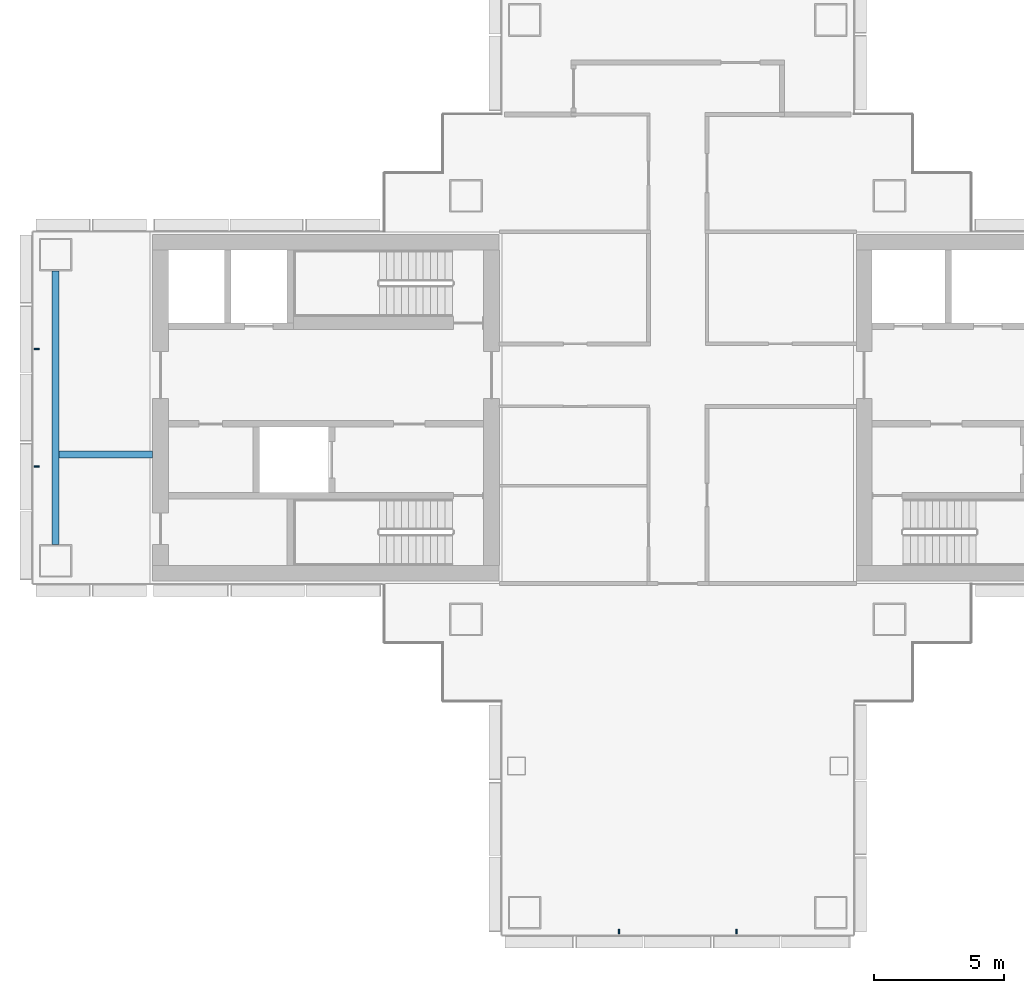
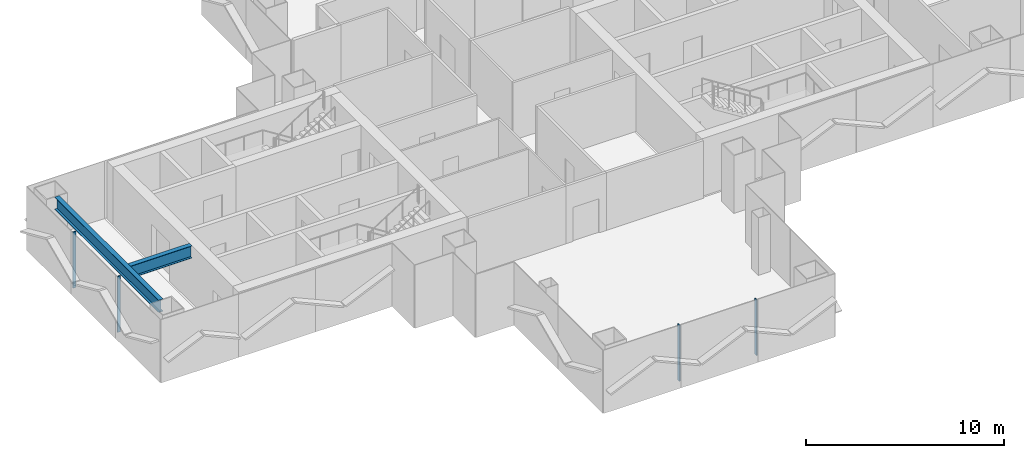
# One storey, part 3 of 19: 4 members, 2 beams, 2 elements without a shape of their own.
"""IFC4 building model written with IfcOpenShell, lengths in metres."""

from ifc_helpers import new_model, si_unit, direction, frame, origin, origin_2d, place, context, subcontext, project, spatial, rectangle, i_section, extrude, material, layer, layer_set, material_profile, profile_set, type_object, element, aggregate, save


model = new_model("IFC4")

# Units and contexts
model_context = context("Model", 3, precision=1e-05, world=origin(), true_north=direction((0.0, 1.0)))
body_context = subcontext(model_context, "Body", "Model", "MODEL_VIEW")
ifc_project = project(units=[si_unit("LENGTHUNIT", "METRE"), si_unit("AREAUNIT", "SQUARE_METRE"), si_unit("VOLUMEUNIT", "CUBIC_METRE"), si_unit("PLANEANGLEUNIT", "RADIAN"), si_unit("MASSUNIT", "GRAM", prefix="KILO")], contexts=[model_context])

# Site, building, storey
site_placement = place(None, origin())
site = spatial("IfcSite", under=ifc_project, at=site_placement, CompositionType="ELEMENT")
building_placement = place(site_placement, origin())
building = spatial("IfcBuilding", under=site, at=building_placement, Name="Shamsa Quay Exchange Towers", CompositionType="ELEMENT")
storey_placement = place(building_placement, frame((0.0, 0.0, 97.5)))
storey = spatial("IfcBuildingStorey", under=building, at=storey_placement, Name="L22", CompositionType="ELEMENT", Elevation=97.5)

# Curtain wall, members
ifc_material_1 = material(Name="Aluminium EN AW-6063 T6, black anodised", Category="aluminium")
ifc_layer = layer(ifc_material_1, 0.280029296875)
ifc_layer_set = layer_set([ifc_layer], Name="CW-1 UNITISED VISION GLASS")
curtain_wall_type = type_object("IfcCurtainWallType", Name="CW-1 UNITISED VISION GLASS", PredefinedType="NOTDEFINED", material=ifc_layer_set)
curtain_wall_1_placement = place(storey_placement, origin())
curtain_wall_1 = element("IfcCurtainWall", 1, at=curtain_wall_1_placement, inside=storey, type_object=curtain_wall_type, Name="CW1 T1-END-V- L22", PredefinedType="NOTDEFINED")
ifc_material_profile_1 = material_profile(ifc_material_1, rectangle(XDim=0.179931640625, YDim=0.06005859375, at=origin_2d()), Name="MU60x180")
ifc_profile_set_1 = profile_set([ifc_material_profile_1], Name="Aluminium EN AW-6063 T6, black anodised")
member_type = type_object("IfcMemberType", Name="CW1 MULLION 60x180", PredefinedType="MULLION", material=ifc_profile_set_1)
member_1_placement = place(storey_placement, frame((-36.0, -20.10009765625, 0.0), z_axis=(0.0, 0.0, 1.0), x_axis=(0.0, 1.0, 0.0)))
member_1 = element("IfcMember", 2, at=member_1_placement, type_object=member_type, Name="CW1 mullion", PredefinedType="MULLION", context=body_context, shape_type="SweptSolid", body=[
    extrude(rectangle(XDim=0.179931640625, YDim=0.06005859375, at=origin_2d()), origin(), (0.0, 0.0, 1.0), 3.449951171875),
])
member_2_placement = place(storey_placement, frame((-31.5, -20.10009765625, 0.0), z_axis=(0.0, 0.0, 1.0), x_axis=(0.0, 1.0, 0.0)))
member_2 = element("IfcMember", 3, at=member_2_placement, type_object=member_type, Name="CW1 mullion", PredefinedType="MULLION", context=body_context, shape_type="SweptSolid", body=[
    extrude(rectangle(XDim=0.179931640625, YDim=0.06005859375, at=origin_2d()), origin(), (0.0, 0.0, 1.0), 3.449951171875),
])
aggregate(curtain_wall_1, [member_1, member_2])

curtain_wall_2_placement = place(storey_placement, origin())
curtain_wall_2 = element("IfcCurtainWall", 4, at=curtain_wall_2_placement, inside=storey, type_object=curtain_wall_type, Name="CW1 T1-END-U- L22", PredefinedType="NOTDEFINED")
member_3_placement = place(storey_placement, frame((-58.35009765625, 2.25, 0.0)))
member_3 = element("IfcMember", 5, at=member_3_placement, type_object=member_type, Name="CW1 mullion", PredefinedType="MULLION", context=body_context, shape_type="SweptSolid", body=[
    extrude(rectangle(XDim=0.179931640625, YDim=0.06005859375, at=origin_2d()), origin(), (0.0, 0.0, 1.0), 3.449951171875),
])
member_4_placement = place(storey_placement, frame((-58.35009765625, -2.25, 0.0)))
member_4 = element("IfcMember", 6, at=member_4_placement, type_object=member_type, Name="CW1 mullion", PredefinedType="MULLION", context=body_context, shape_type="SweptSolid", body=[
    extrude(rectangle(XDim=0.179931640625, YDim=0.06005859375, at=origin_2d()), origin(), (0.0, 0.0, 1.0), 3.449951171875),
])
aggregate(curtain_wall_2, [member_3, member_4])

# Beams
ifc_material_2 = material(Name="Steel S355", Category="steel")
ifc_material_profile_2 = material_profile(ifc_material_2, i_section(OverallWidth=0.26611328125, OverallDepth=0.7578125, WebThickness=0.013916015625, FlangeThickness=0.019287109375, at=origin_2d()), Name="W30x108")
ifc_profile_set_2 = profile_set([ifc_material_profile_2], Name="Steel S355")
beam_type = type_object("IfcBeamType", Name="End-zone beam W30x108", PredefinedType="BEAM", material=ifc_profile_set_2)
beam_1_placement = place(storey_placement, frame((-57.625, -5.25, 3.171142578125), z_axis=(0.0, 1.0, 0.0), x_axis=(-1.0, 0.0, 0.0)))
element("IfcBeam", 7, at=beam_1_placement, inside=storey, type_object=beam_type, Name="End beam T1 U- end zone L22", PredefinedType="BEAM", context=body_context, shape_type="SweptSolid", body=[
    extrude(i_section(OverallWidth=0.26611328125, OverallDepth=0.7578125, WebThickness=0.013916015625, FlangeThickness=0.019287109375, at=origin_2d()), origin(), (0.0, 0.0, 1.0), 10.5),
])
beam_2_placement = place(storey_placement, frame((-53.89990234375, -1.800048828125, 3.171142578125), z_axis=(-1.0, 0.0, 0.0), x_axis=(0.0, -1.0, 0.0)))
element("IfcBeam", 8, at=beam_2_placement, inside=storey, type_object=beam_type, Name="Spine beam T1 U- end zone L22", PredefinedType="BEAM", context=body_context, shape_type="SweptSolid", body=[
    extrude(i_section(OverallWidth=0.26611328125, OverallDepth=0.7578125, WebThickness=0.013916015625, FlangeThickness=0.019287109375, at=origin_2d()), origin(), (0.0, 0.0, 1.0), 3.592041015625),
])

save(model, "model.ifc")
